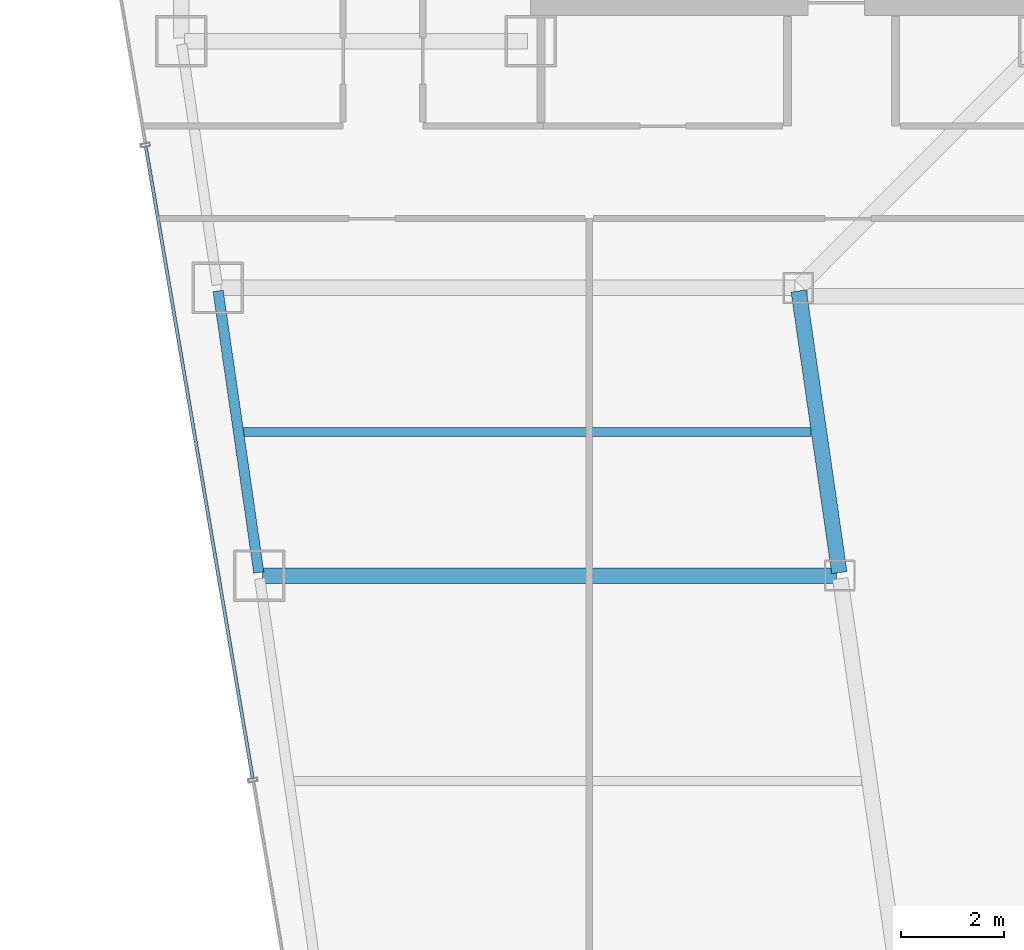
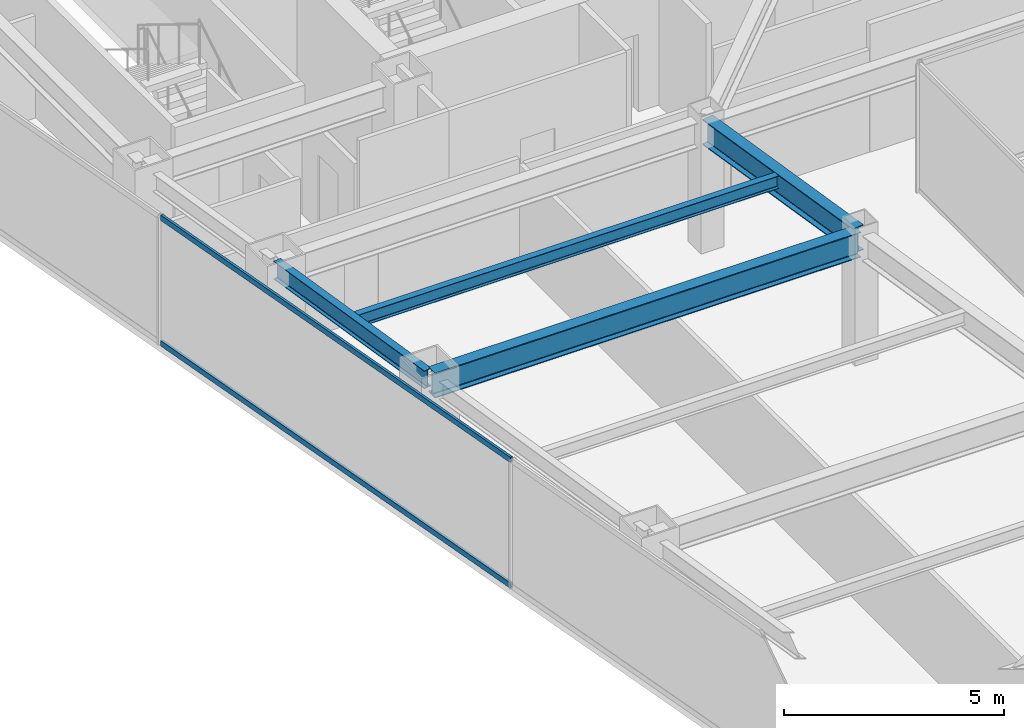
# One storey, part 8 of 36: 4 beams, 2 members, 1 element without a shape of its own.
"""IFC4 building model written with IfcOpenShell, lengths in metres."""

import ifcopenshell
import ifcopenshell.guid

model = None  # the IFC model being written
_history = None  # IfcOwnerHistory: only IFC2X3 demands one
_inside = {}  # id of a spatial element -> (the spatial element, [elements in it])
_under = {}  # id of a project, library or spatial element -> (it, [spatial elements below it])
_declared = {}  # id of a project -> (the project, [libraries it declares])
_typed = {}  # id of a type object -> (the type object, [elements of that type])
_made_of = {}  # id of a material, layer set ... -> (it, [elements and type objects made of it])


def new_model(schema):
    """Start an empty IFC model of exactly this schema.

    Asked for "IFC4X3", IfcOpenShell would pick the latest addendum, in which some entities
    have other attributes; the version numbers below select the first issue.
    IFC2X3 requires an IfcOwnerHistory on every rooted entity: one is made here for all.
    """
    global model, _history
    if schema == "IFC4X3":
        model = ifcopenshell.file(schema_version=(4, 3, 0, 0))
    else:
        model = ifcopenshell.file(schema=schema)
    _inside.clear()
    _under.clear()
    _declared.clear()
    _typed.clear()
    _made_of.clear()
    _history = None
    if model.schema == "IFC2X3":
        org = make("IfcOrganization", Name="unknown")
        user = make(
            "IfcPersonAndOrganization",
            ThePerson=make("IfcPerson", FamilyName="unknown"),
            TheOrganization=org,
        )
        app = make(
            "IfcApplication",
            ApplicationDeveloper=org,
            Version="unknown",
            ApplicationFullName="unknown",
            ApplicationIdentifier="unknown",
        )
        _history = make(
            "IfcOwnerHistory",
            OwningUser=user,
            OwningApplication=app,
            ChangeAction="ADDED",
            CreationDate=0,
        )
    return model


def make(cls, **values):
    """One entity of the class cls with the attributes given. An attribute that is None is left unset."""
    return model.create_entity(
        cls, **{name: value for name, value in values.items() if value is not None}
    )


def rooted(cls, **values):
    """An entity with a GlobalId (a new one), such as an element, a storey or a relation."""
    return make(cls, GlobalId=ifcopenshell.guid.new(), OwnerHistory=_history, **values)


def si_unit(unit_type, name, prefix=None):
    """IfcSIUnit, for example si_unit("LENGTHUNIT", "METRE", prefix="MILLI")."""
    return make("IfcSIUnit", UnitType=unit_type, Prefix=prefix, Name=name)


def assignment(units):
    """IfcUnitAssignment: the units of a project."""
    return None if units is None else make("IfcUnitAssignment", Units=units)


def point(xyz):
    """IfcCartesianPoint."""
    return None if xyz is None else make("IfcCartesianPoint", Coordinates=xyz)


def direction(xyz):
    """IfcDirection."""
    return None if xyz is None else make("IfcDirection", DirectionRatios=xyz)


def frame(location, z_axis=None, x_axis=None):
    """IfcAxis2Placement3D, a coordinate frame: its origin and axes. An axis left out is left unset."""
    return make(
        "IfcAxis2Placement3D",
        Location=point(location),
        Axis=direction(z_axis),
        RefDirection=direction(x_axis),
    )


def frame_2d(location, x_axis=None):
    """IfcAxis2Placement2D, a coordinate frame in the plane: its origin and x axis."""
    return make(
        "IfcAxis2Placement2D", Location=point(location), RefDirection=direction(x_axis)
    )


def origin():
    """The frame at (0, 0, 0) with its axes left unset."""
    return frame((0.0, 0.0, 0.0))


def origin_2d():
    """The frame at (0, 0) in the plane with its x axis left unset."""
    return frame_2d((0.0, 0.0))


def place(relative_to, where):
    """IfcLocalPlacement: puts the frame where relative to a parent placement (None: the world)."""
    return make(
        "IfcLocalPlacement", PlacementRelTo=relative_to, RelativePlacement=where
    )


def context(
    kind, dimensions, precision=None, world=None, true_north=None, identifier=None
):
    """IfcGeometricRepresentationContext, for example the 3D "Model" context."""
    return make(
        "IfcGeometricRepresentationContext",
        ContextIdentifier=identifier,
        ContextType=kind,
        CoordinateSpaceDimension=dimensions,
        Precision=precision,
        WorldCoordinateSystem=world,
        TrueNorth=true_north,
    )


def subcontext(parent, identifier, kind, view, scale=None):
    """IfcGeometricRepresentationSubContext, for example "Body" below "Model"."""
    return make(
        "IfcGeometricRepresentationSubContext",
        ContextIdentifier=identifier,
        ContextType=kind,
        ParentContext=parent,
        TargetScale=scale,
        TargetView=view,
    )


def project(units=None, contexts=None):
    """IfcProject with its units and contexts."""
    return rooted(
        "IfcProject",
        Name="project",
        RepresentationContexts=contexts,
        UnitsInContext=assignment(units),
    )


def spatial(cls, under=None, at=None, **own):
    """A site, building, storey or space (cls), placed at a placement, below another one or the project."""
    s = rooted(cls, ObjectPlacement=at, **own)
    if under is not None:
        _under.setdefault(under.id(), (under, []))[1].append(s)
    return s


def profile(cls, at=None, kind="AREA", **sizes):
    """A parametric profile (cls). Its sizes go by their IFC names, for example OverallWidth=200.0."""
    return make(cls, ProfileType=kind, Position=at, **sizes)


def hollow_rectangle(**sizes):
    """IfcRectangleHollowProfileDef."""
    return profile("IfcRectangleHollowProfileDef", **sizes)


def i_section(**sizes):
    """IfcIShapeProfileDef."""
    return profile("IfcIShapeProfileDef", **sizes)


def extrude(swept, where, along, depth):
    """IfcExtrudedAreaSolid: the profile swept, set in the frame where, extruded along a direction by depth."""
    return make(
        "IfcExtrudedAreaSolid",
        SweptArea=swept,
        Position=where,
        ExtrudedDirection=direction(along),
        Depth=depth,
    )


def shape(context_of_items, identifier, shape_type, items):
    """IfcShapeRepresentation: the items that make up one representation, for example the "Body"."""
    return make(
        "IfcShapeRepresentation",
        ContextOfItems=context_of_items,
        RepresentationIdentifier=identifier,
        RepresentationType=shape_type,
        Items=items,
    )


def material(Name=None, Category=None):
    """IfcMaterial."""
    return make("IfcMaterial", Name=Name, Category=Category)


def material_profile(
    of_material, cross_section, Name=None, Category=None, Priority=None
):
    """IfcMaterialProfile: a cross section and its material."""
    return make(
        "IfcMaterialProfile",
        Name=Name,
        Material=of_material,
        Profile=cross_section,
        Priority=Priority,
        Category=Category,
    )


def profile_set(profiles, Name=None, composite=None):
    """IfcMaterialProfileSet."""
    return make(
        "IfcMaterialProfileSet",
        Name=Name,
        MaterialProfiles=profiles,
        CompositeProfile=composite,
    )


def made_of(thing, what):
    """Note that an element or type object is made of a material, layer set ...; save() writes the relation."""
    if what is not None:
        _made_of.setdefault(what.id(), (what, []))[1].append(thing)
    return thing


def type_object(cls, material=None, **own):
    """A type object (cls), such as IfcWallType, which elements share."""
    return made_of(rooted(cls, **own), material)


def element(
    cls,
    number,
    at=None,
    inside=None,
    cuts=None,
    type_object=None,
    material=None,
    context=None,
    identifier="Body",
    shape_type=None,
    held_by="IfcProductDefinitionShape",
    body=None,
    shapes=None,
    **own,
):
    """One element of the class cls, such as IfcWall. Its Tag is "e" and its number.

    at: its placement. inside: the storey or other place that contains it. cuts: it is an
    opening in that element (IfcRelVoidsElement). A single representation is given by context,
    identifier, shape_type and body (its items); several are given by shapes. held_by: the class
    of the entity that holds the representations. save() writes the other relations.
    """
    e = rooted(cls, Tag="e%d" % number, ObjectPlacement=at, **own)
    if body is not None:
        shapes = [shape(context, identifier, shape_type, body)]
    if shapes is not None:
        e.Representation = make(held_by, Representations=shapes)
    if inside is not None:
        _inside.setdefault(inside.id(), (inside, []))[1].append(e)
    if cuts is not None:
        rooted(
            "IfcRelVoidsElement", RelatingBuildingElement=cuts, RelatedOpeningElement=e
        )
    if type_object is not None:
        _typed.setdefault(type_object.id(), (type_object, []))[1].append(e)
    return made_of(e, material)


def aggregate(whole, parts):
    """IfcRelAggregates: a whole, such as a stair, and the parts it consists of."""
    return rooted("IfcRelAggregates", RelatingObject=whole, RelatedObjects=parts)


def save(model, path):
    """Write the relations noted so far, then the file.

    IfcRelAggregates (storeys below a building ...), IfcRelContainedInSpatialStructure (elements
    in a storey), IfcRelDefinesByType, IfcRelAssociatesMaterial and IfcRelDeclares: one each for
    every whole, place, type object, material and project.
    """
    for whole, parts in _under.values():
        aggregate(whole, parts)
    for where, things in _inside.values():
        rooted(
            "IfcRelContainedInSpatialStructure",
            RelatedElements=things,
            RelatingStructure=where,
        )
    for kind, things in _typed.values():
        rooted("IfcRelDefinesByType", RelatedObjects=things, RelatingType=kind)
    for what, things in _made_of.values():
        rooted("IfcRelAssociatesMaterial", RelatedObjects=things, RelatingMaterial=what)
    for by, libraries in _declared.values():
        rooted("IfcRelDeclares", RelatingContext=by, RelatedDefinitions=libraries)
    model.write(path)


model = new_model("IFC4")

# Units and contexts
model_context = context("Model", 3, precision=1e-05, world=origin(), true_north=direction((0.0, 1.0)))
body_context = subcontext(model_context, "Body", "Model", "MODEL_VIEW")
ifc_project = project(units=[si_unit("LENGTHUNIT", "METRE"), si_unit("AREAUNIT", "SQUARE_METRE"), si_unit("VOLUMEUNIT", "CUBIC_METRE"), si_unit("PLANEANGLEUNIT", "RADIAN"), si_unit("MASSUNIT", "GRAM", prefix="KILO")], contexts=[model_context])

# Site, building, storey
site_placement = place(None, origin())
site = spatial("IfcSite", under=ifc_project, at=site_placement, CompositionType="ELEMENT")
building_placement = place(site_placement, origin())
building = spatial("IfcBuilding", under=site, at=building_placement, Name="Saevonmaru Cultural Tower", CompositionType="ELEMENT")
storey_placement = place(building_placement, frame((0.0, 0.0, 171.39990234375)))
storey = spatial("IfcBuildingStorey", under=building, at=storey_placement, Name="L38", CompositionType="ELEMENT", Elevation=171.39990234375)

# Beams
ifc_material_1 = material(Name="Steel SM355", Category="steel")
ifc_material_profile_1 = material_profile(ifc_material_1, i_section(OverallWidth=0.300048828125, OverallDepth=0.699951171875, WebThickness=0.012939453125, FlangeThickness=0.02392578125, FilletRadius=0.02587890625, at=origin_2d()), Name="H-700x300x13x24")
ifc_profile_set_1 = profile_set([ifc_material_profile_1], Name="Steel SM355")
beam_type_1 = type_object("IfcBeamType", Name="BM-G-H700", PredefinedType="BEAM", material=ifc_profile_set_1)
beam_1_placement = place(storey_placement, frame((19.6083984375, 32.059326171875, 3.2001953125), z_axis=(-0.142964121327, 0.989727871697, 0.0), x_axis=(-0.989727871697, -0.142964121327, 0.0)))
element("IfcBeam", 1, at=beam_1_placement, inside=storey, type_object=beam_type_1, Name="L38 West Atrium Girder 3", PredefinedType="BEAM", context=body_context, shape_type="SweptSolid", body=[
    extrude(i_section(OverallWidth=0.300048828125, OverallDepth=0.699951171875, WebThickness=0.012939453125, FlangeThickness=0.02392578125, FilletRadius=0.02587890625, at=origin_2d()), origin(), (0.0, 0.0, 1.0), 5.5380859375),
])
beam_2_placement = place(storey_placement, frame((8.376953125, 32.0, 3.2001953125), z_axis=(1.0, 0.0, 0.0), x_axis=(0.0, 1.0, 0.0)))
element("IfcBeam", 2, at=beam_2_placement, inside=storey, type_object=beam_type_1, Name="L38 West Wing Transverse Girder 3", PredefinedType="BEAM", context=body_context, shape_type="SweptSolid", body=[
    extrude(i_section(OverallWidth=0.300048828125, OverallDepth=0.699951171875, WebThickness=0.012939453125, FlangeThickness=0.02392578125, FilletRadius=0.02587890625, at=origin_2d()), origin(), (0.0, 0.0, 1.0), 11.179931640625),
])
ifc_material_profile_2 = material_profile(ifc_material_1, i_section(OverallWidth=0.175048828125, OverallDepth=0.35009765625, WebThickness=0.007080078125, FlangeThickness=0.010986328125, FilletRadius=0.012939453125, at=origin_2d()), Name="H-350x175x7x11")
ifc_profile_set_2 = profile_set([ifc_material_profile_2], Name="Steel SM355")
beam_type_2 = type_object("IfcBeamType", Name="BM-J-H350", PredefinedType="JOIST", material=ifc_profile_set_2)
beam_3_placement = place(storey_placement, frame((7.972412109375, 34.800048828125, 3.375), z_axis=(1.0, 0.0, 0.0), x_axis=(0.0, 1.0, 0.0)))
element("IfcBeam", 3, at=beam_3_placement, inside=storey, type_object=beam_type_2, Name="L38 West Wing Floor Joist 3", PredefinedType="JOIST", context=body_context, shape_type="SweptSolid", body=[
    extrude(i_section(OverallWidth=0.175048828125, OverallDepth=0.35009765625, WebThickness=0.007080078125, FlangeThickness=0.010986328125, FilletRadius=0.012939453125, at=origin_2d()), origin(), (0.0, 0.0, 1.0), 11.08203125),
])
ifc_material_profile_3 = material_profile(ifc_material_1, i_section(OverallWidth=0.199951171875, OverallDepth=0.5, WebThickness=0.010009765625, FlangeThickness=0.01611328125, FilletRadius=0.02001953125, at=origin_2d()), Name="H-500x200x10x16")
ifc_profile_set_3 = profile_set([ifc_material_profile_3], Name="Steel SM355")
beam_type_3 = type_object("IfcBeamType", Name="BM-SP-H500", PredefinedType="SPANDREL", material=ifc_profile_set_3)
beam_4_placement = place(storey_placement, frame((8.308349609375, 32.059326171875, 3.300048828125), z_axis=(-0.142964121327, 0.989727871697, 0.0), x_axis=(-0.989727871697, -0.142964121327, 0.0)))
element("IfcBeam", 4, at=beam_4_placement, inside=storey, type_object=beam_type_3, Name="L38 West Splayed Spandrel 3", PredefinedType="SPANDREL", context=body_context, shape_type="SweptSolid", body=[
    extrude(i_section(OverallWidth=0.199951171875, OverallDepth=0.5, WebThickness=0.010009765625, FlangeThickness=0.01611328125, FilletRadius=0.02001953125, at=origin_2d()), origin(), (0.0, 0.0, 1.0), 5.5380859375),
])

# Curtain wall, members
ifc_material_2 = material(Name="Satin Bronze Anodised Aluminium", Category="aluminium")
curtain_wall_type = type_object("IfcCurtainWallType", Name="CW-TYP-A", PredefinedType="NOTDEFINED", material=ifc_material_2)
curtain_wall_placement = place(storey_placement, origin())
curtain_wall = element("IfcCurtainWall", 5, at=curtain_wall_placement, inside=storey, type_object=curtain_wall_type, Name="L38 Unitised Curtain Wall E12", PredefinedType="NOTDEFINED")
ifc_material_profile_4 = material_profile(ifc_material_2, hollow_rectangle(XDim=0.06494140625, YDim=0.14990234375, WallThickness=0.00390625, at=origin_2d()), Name="ALU-TRAN-150x65x4")
ifc_profile_set_4 = profile_set([ifc_material_profile_4], Name="Satin Bronze Anodised Aluminium")
member_type = type_object("IfcMemberType", Name="TR-CW-150x65", PredefinedType="USERDEFINED", material=ifc_profile_set_4)
member_1_placement = place(storey_placement, frame((6.10791015625, 40.34814453125, 0.03271484375), z_axis=(0.166925351203, -0.985969536611, 0.0), x_axis=(0.985969536611, 0.166925351203, 0.0)))
member_1 = element("IfcMember", 6, at=member_1_placement, type_object=member_type, Name="CW-TW-L38-E12 transom 2.1", ObjectType="TRANSOM", PredefinedType="USERDEFINED", context=body_context, shape_type="SweptSolid", body=[
    extrude(hollow_rectangle(XDim=0.06494140625, YDim=0.14990234375, WallThickness=0.00390625, at=origin_2d()), origin(), (0.0, 0.0, 1.0), 12.471435546875),
])
member_2_placement = place(storey_placement, frame((6.10791015625, 40.34814453125, 3.517578125), z_axis=(0.166925351203, -0.985969536611, 0.0), x_axis=(0.985969536611, 0.166925351203, 0.0)))
member_2 = element("IfcMember", 7, at=member_2_placement, type_object=member_type, Name="CW-TW-L38-E12 transom 2.2", ObjectType="TRANSOM", PredefinedType="USERDEFINED", context=body_context, shape_type="SweptSolid", body=[
    extrude(hollow_rectangle(XDim=0.06494140625, YDim=0.14990234375, WallThickness=0.00390625, at=origin_2d()), origin(), (0.0, 0.0, 1.0), 12.471435546875),
])
aggregate(curtain_wall, [member_1, member_2])

save(model, "model.ifc")
